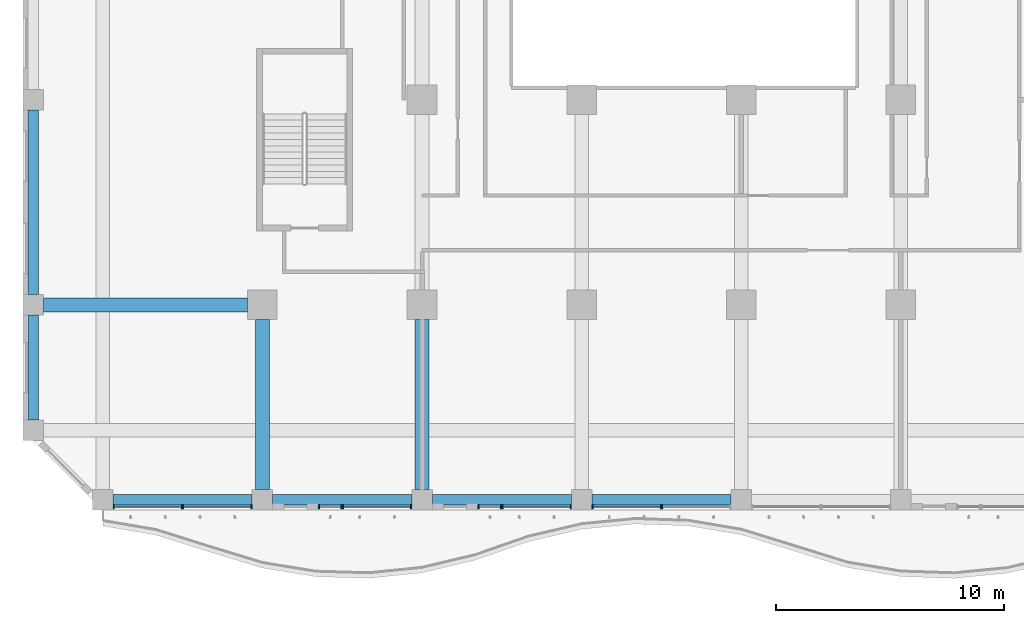
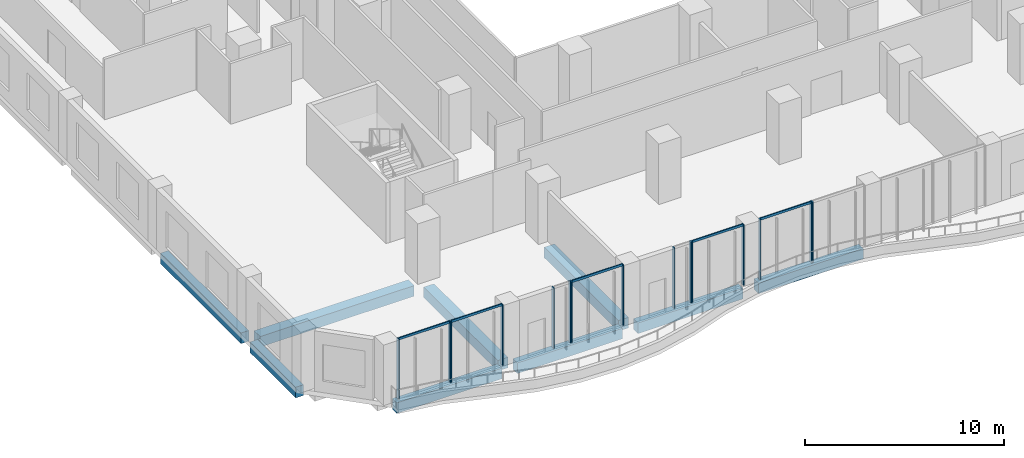
# One storey, part 2 of 27: 20 members, 9 beams, 8 elements without a shape of their own.
"""IFC4 building model written with IfcOpenShell, lengths in metres."""

import ifcopenshell
import ifcopenshell.guid

model = None  # the IFC model being written
_history = None  # IfcOwnerHistory: only IFC2X3 demands one
_inside = {}  # id of a spatial element -> (the spatial element, [elements in it])
_under = {}  # id of a project, library or spatial element -> (it, [spatial elements below it])
_declared = {}  # id of a project -> (the project, [libraries it declares])
_typed = {}  # id of a type object -> (the type object, [elements of that type])
_made_of = {}  # id of a material, layer set ... -> (it, [elements and type objects made of it])


def new_model(schema):
    """Start an empty IFC model of exactly this schema.

    Asked for "IFC4X3", IfcOpenShell would pick the latest addendum, in which some entities
    have other attributes; the version numbers below select the first issue.
    IFC2X3 requires an IfcOwnerHistory on every rooted entity: one is made here for all.
    """
    global model, _history
    if schema == "IFC4X3":
        model = ifcopenshell.file(schema_version=(4, 3, 0, 0))
    else:
        model = ifcopenshell.file(schema=schema)
    _inside.clear()
    _under.clear()
    _declared.clear()
    _typed.clear()
    _made_of.clear()
    _history = None
    if model.schema == "IFC2X3":
        org = make("IfcOrganization", Name="unknown")
        user = make(
            "IfcPersonAndOrganization",
            ThePerson=make("IfcPerson", FamilyName="unknown"),
            TheOrganization=org,
        )
        app = make(
            "IfcApplication",
            ApplicationDeveloper=org,
            Version="unknown",
            ApplicationFullName="unknown",
            ApplicationIdentifier="unknown",
        )
        _history = make(
            "IfcOwnerHistory",
            OwningUser=user,
            OwningApplication=app,
            ChangeAction="ADDED",
            CreationDate=0,
        )
    return model


def make(cls, **values):
    """One entity of the class cls with the attributes given. An attribute that is None is left unset."""
    return model.create_entity(
        cls, **{name: value for name, value in values.items() if value is not None}
    )


def rooted(cls, **values):
    """An entity with a GlobalId (a new one), such as an element, a storey or a relation."""
    return make(cls, GlobalId=ifcopenshell.guid.new(), OwnerHistory=_history, **values)


def si_unit(unit_type, name, prefix=None):
    """IfcSIUnit, for example si_unit("LENGTHUNIT", "METRE", prefix="MILLI")."""
    return make("IfcSIUnit", UnitType=unit_type, Prefix=prefix, Name=name)


def assignment(units):
    """IfcUnitAssignment: the units of a project."""
    return None if units is None else make("IfcUnitAssignment", Units=units)


def point(xyz):
    """IfcCartesianPoint."""
    return None if xyz is None else make("IfcCartesianPoint", Coordinates=xyz)


def direction(xyz):
    """IfcDirection."""
    return None if xyz is None else make("IfcDirection", DirectionRatios=xyz)


def frame(location, z_axis=None, x_axis=None):
    """IfcAxis2Placement3D, a coordinate frame: its origin and axes. An axis left out is left unset."""
    return make(
        "IfcAxis2Placement3D",
        Location=point(location),
        Axis=direction(z_axis),
        RefDirection=direction(x_axis),
    )


def frame_2d(location, x_axis=None):
    """IfcAxis2Placement2D, a coordinate frame in the plane: its origin and x axis."""
    return make(
        "IfcAxis2Placement2D", Location=point(location), RefDirection=direction(x_axis)
    )


def origin():
    """The frame at (0, 0, 0) with its axes left unset."""
    return frame((0.0, 0.0, 0.0))


def origin_2d():
    """The frame at (0, 0) in the plane with its x axis left unset."""
    return frame_2d((0.0, 0.0))


def place(relative_to, where):
    """IfcLocalPlacement: puts the frame where relative to a parent placement (None: the world)."""
    return make(
        "IfcLocalPlacement", PlacementRelTo=relative_to, RelativePlacement=where
    )


def context(
    kind, dimensions, precision=None, world=None, true_north=None, identifier=None
):
    """IfcGeometricRepresentationContext, for example the 3D "Model" context."""
    return make(
        "IfcGeometricRepresentationContext",
        ContextIdentifier=identifier,
        ContextType=kind,
        CoordinateSpaceDimension=dimensions,
        Precision=precision,
        WorldCoordinateSystem=world,
        TrueNorth=true_north,
    )


def subcontext(parent, identifier, kind, view, scale=None):
    """IfcGeometricRepresentationSubContext, for example "Body" below "Model"."""
    return make(
        "IfcGeometricRepresentationSubContext",
        ContextIdentifier=identifier,
        ContextType=kind,
        ParentContext=parent,
        TargetScale=scale,
        TargetView=view,
    )


def project(units=None, contexts=None):
    """IfcProject with its units and contexts."""
    return rooted(
        "IfcProject",
        Name="project",
        RepresentationContexts=contexts,
        UnitsInContext=assignment(units),
    )


def spatial(cls, under=None, at=None, **own):
    """A site, building, storey or space (cls), placed at a placement, below another one or the project."""
    s = rooted(cls, ObjectPlacement=at, **own)
    if under is not None:
        _under.setdefault(under.id(), (under, []))[1].append(s)
    return s


def profile(cls, at=None, kind="AREA", **sizes):
    """A parametric profile (cls). Its sizes go by their IFC names, for example OverallWidth=200.0."""
    return make(cls, ProfileType=kind, Position=at, **sizes)


def rectangle(**sizes):
    """IfcRectangleProfileDef."""
    return profile("IfcRectangleProfileDef", **sizes)


def extrude(swept, where, along, depth):
    """IfcExtrudedAreaSolid: the profile swept, set in the frame where, extruded along a direction by depth."""
    return make(
        "IfcExtrudedAreaSolid",
        SweptArea=swept,
        Position=where,
        ExtrudedDirection=direction(along),
        Depth=depth,
    )


def shape(context_of_items, identifier, shape_type, items):
    """IfcShapeRepresentation: the items that make up one representation, for example the "Body"."""
    return make(
        "IfcShapeRepresentation",
        ContextOfItems=context_of_items,
        RepresentationIdentifier=identifier,
        RepresentationType=shape_type,
        Items=items,
    )


def source(mapping_origin, context_of_items, identifier, shape_type, items):
    """IfcRepresentationMap: a shape defined once, which mapped items show again and again."""
    return make(
        "IfcRepresentationMap",
        MappingOrigin=mapping_origin,
        MappedRepresentation=shape(context_of_items, identifier, shape_type, items),
    )


def transform(
    local_origin,
    x_axis=None,
    y_axis=None,
    z_axis=None,
    scale=None,
    scale2=None,
    scale3=None,
    uniform=True,
):
    """IfcCartesianTransformationOperator3D, or its non-uniform kind. x_axis, y_axis, z_axis: its Axis1, 2, 3."""
    if uniform:
        return make(
            "IfcCartesianTransformationOperator3D",
            Axis1=direction(x_axis),
            Axis2=direction(y_axis),
            LocalOrigin=point(local_origin),
            Scale=scale,
            Axis3=direction(z_axis),
        )
    return make(
        "IfcCartesianTransformationOperator3DnonUniform",
        Axis1=direction(x_axis),
        Axis2=direction(y_axis),
        LocalOrigin=point(local_origin),
        Scale=scale,
        Axis3=direction(z_axis),
        Scale2=scale2,
        Scale3=scale3,
    )


def mapped(mapping_source, mapping_target):
    """IfcMappedItem: shows the shape of a source again, moved by a transform."""
    return make(
        "IfcMappedItem", MappingSource=mapping_source, MappingTarget=mapping_target
    )


def material(Name=None, Category=None):
    """IfcMaterial."""
    return make("IfcMaterial", Name=Name, Category=Category)


def material_profile(
    of_material, cross_section, Name=None, Category=None, Priority=None
):
    """IfcMaterialProfile: a cross section and its material."""
    return make(
        "IfcMaterialProfile",
        Name=Name,
        Material=of_material,
        Profile=cross_section,
        Priority=Priority,
        Category=Category,
    )


def profile_set(profiles, Name=None, composite=None):
    """IfcMaterialProfileSet."""
    return make(
        "IfcMaterialProfileSet",
        Name=Name,
        MaterialProfiles=profiles,
        CompositeProfile=composite,
    )


def made_of(thing, what):
    """Note that an element or type object is made of a material, layer set ...; save() writes the relation."""
    if what is not None:
        _made_of.setdefault(what.id(), (what, []))[1].append(thing)
    return thing


def type_object(cls, material=None, **own):
    """A type object (cls), such as IfcWallType, which elements share."""
    return made_of(rooted(cls, **own), material)


def element(
    cls,
    number,
    at=None,
    inside=None,
    cuts=None,
    type_object=None,
    material=None,
    context=None,
    identifier="Body",
    shape_type=None,
    held_by="IfcProductDefinitionShape",
    body=None,
    shapes=None,
    **own,
):
    """One element of the class cls, such as IfcWall. Its Tag is "e" and its number.

    at: its placement. inside: the storey or other place that contains it. cuts: it is an
    opening in that element (IfcRelVoidsElement). A single representation is given by context,
    identifier, shape_type and body (its items); several are given by shapes. held_by: the class
    of the entity that holds the representations. save() writes the other relations.
    """
    e = rooted(cls, Tag="e%d" % number, ObjectPlacement=at, **own)
    if body is not None:
        shapes = [shape(context, identifier, shape_type, body)]
    if shapes is not None:
        e.Representation = make(held_by, Representations=shapes)
    if inside is not None:
        _inside.setdefault(inside.id(), (inside, []))[1].append(e)
    if cuts is not None:
        rooted(
            "IfcRelVoidsElement", RelatingBuildingElement=cuts, RelatedOpeningElement=e
        )
    if type_object is not None:
        _typed.setdefault(type_object.id(), (type_object, []))[1].append(e)
    return made_of(e, material)


def aggregate(whole, parts):
    """IfcRelAggregates: a whole, such as a stair, and the parts it consists of."""
    return rooted("IfcRelAggregates", RelatingObject=whole, RelatedObjects=parts)


def save(model, path):
    """Write the relations noted so far, then the file.

    IfcRelAggregates (storeys below a building ...), IfcRelContainedInSpatialStructure (elements
    in a storey), IfcRelDefinesByType, IfcRelAssociatesMaterial and IfcRelDeclares: one each for
    every whole, place, type object, material and project.
    """
    for whole, parts in _under.values():
        aggregate(whole, parts)
    for where, things in _inside.values():
        rooted(
            "IfcRelContainedInSpatialStructure",
            RelatedElements=things,
            RelatingStructure=where,
        )
    for kind, things in _typed.values():
        rooted("IfcRelDefinesByType", RelatedObjects=things, RelatingType=kind)
    for what, things in _made_of.values():
        rooted("IfcRelAssociatesMaterial", RelatedObjects=things, RelatingMaterial=what)
    for by, libraries in _declared.values():
        rooted("IfcRelDeclares", RelatingContext=by, RelatedDefinitions=libraries)
    model.write(path)


model = new_model("IFC4")

# Units and contexts
model_context = context("Model", 3, precision=1e-05, world=origin(), true_north=direction((0.0, 1.0)))
body_context = subcontext(model_context, "Body", "Model", "MODEL_VIEW")
ifc_project = project(units=[si_unit("LENGTHUNIT", "METRE"), si_unit("AREAUNIT", "SQUARE_METRE"), si_unit("VOLUMEUNIT", "CUBIC_METRE"), si_unit("PLANEANGLEUNIT", "RADIAN"), si_unit("MASSUNIT", "GRAM", prefix="KILO")], contexts=[model_context])

# Site, building, storey
site_placement = place(None, origin())
site = spatial("IfcSite", under=ifc_project, at=site_placement, CompositionType="ELEMENT")
building_placement = place(site_placement, origin())
building = spatial("IfcBuilding", under=site, at=building_placement, Name="Kilnfold Tower and Market Hall", CompositionType="ELEMENT")
storey_placement = place(building_placement, frame((0.0, 0.0, 43.0)))
storey = spatial("IfcBuildingStorey", under=building, at=storey_placement, Name="L09", CompositionType="ELEMENT", Elevation=43.0)

# Beams
ifc_material_1 = material(Name="Concrete C45", Category="concrete")
ifc_material_profile_1 = material_profile(ifc_material_1, rectangle(XDim=0.449951171875, YDim=0.64990234375, at=origin_2d()), Name="RC 450x650")
ifc_profile_set_1 = profile_set([ifc_material_profile_1], Name="Concrete C45")
beam_type_1 = type_object("IfcBeamType", Name="EDGE BEAM 450X650 C45", PredefinedType="BEAM", material=ifc_profile_set_1)
shared_shape_1 = source(origin(), body_context, "Body", "SweptSolid", [
    extrude(rectangle(XDim=0.449951171875, YDim=0.64990234375, at=origin_2d()), origin(), (0.0, 0.0, 1.0), 6.10009765625),
])
for number, where, z_axis, x_axis, name in (
    (1, (-24.050048828125, -27.550048828125, -0.60498046875), (1.0, 0.0, 0.0), (0.0, 1.0, 0.0), "Beam EB650-B1.1"),
    (2, (-17.050048828125, -27.550048828125, -0.60498046875), (1.0, 0.0, 0.0), (0.0, 1.0, 0.0), "Beam EB650-B1.54"),
    (3, (-10.050048828125, -27.550048828125, -0.60498046875), (1.0, 0.0, 0.0), (0.0, 1.0, 0.0), "Beam EB650-B1.2"),
    (4, (-3.050048828125, -27.550048828125, -0.60498046875), (1.0, 0.0, 0.0), (0.0, 1.0, 0.0), "Beam EB650-B1.3"),
):
    element("IfcBeam", number, at=place(storey_placement, frame(where, z_axis=z_axis, x_axis=x_axis)), inside=storey, type_object=beam_type_1, Name=name, PredefinedType="BEAM", context=body_context, shape_type="MappedRepresentation", body=[
        mapped(shared_shape_1, transform((0.0, 0.0, 0.0))),
    ])
ifc_material_2 = material(Name="Concrete C45", Category="concrete")
ifc_material_profile_2 = material_profile(ifc_material_2, rectangle(XDim=0.60009765625, YDim=0.64990234375, at=origin_2d()), Name="RC 600x650")
ifc_profile_set_2 = profile_set([ifc_material_profile_2], Name="Concrete C45")
beam_type_2 = type_object("IfcBeamType", Name="BEAM 600X650 C45", PredefinedType="BEAM", material=ifc_profile_set_2)
shared_shape_2 = source(origin(), body_context, "Body", "SweptSolid", [
    extrude(rectangle(XDim=0.60009765625, YDim=0.64990234375, at=origin_2d()), origin(), (0.0, 0.0, 1.0), 8.9501953125),
])
beam_1_placement = place(storey_placement, frame((-27.10009765625, -19.0, -0.60498046875), z_axis=(1.0, 0.0, 0.0), x_axis=(0.0, 1.0, 0.0)))
element("IfcBeam", 5, at=beam_1_placement, inside=storey, type_object=beam_type_2, Name="Beam BB650-B1.7", PredefinedType="BEAM", context=body_context, shape_type="MappedRepresentation", body=[
    mapped(shared_shape_2, transform((0.0, 0.0, 0.0))),
])
shared_shape_3 = source(origin(), body_context, "Body", "SweptSolid", [
    extrude(rectangle(XDim=0.449951171875, YDim=0.64990234375, at=origin_2d()), origin(), (0.0, 0.0, 1.0), 4.60009765625),
])
beam_2_placement = place(storey_placement, frame((-27.550048828125, -24.050048828125, -0.60498046875), z_axis=(0.0, 1.0, 0.0), x_axis=(-1.0, 0.0, 0.0)))
element("IfcBeam", 6, at=beam_2_placement, inside=storey, type_object=beam_type_1, Name="Beam EB650-B1.30", PredefinedType="BEAM", context=body_context, shape_type="MappedRepresentation", body=[
    mapped(shared_shape_3, transform((0.0, 0.0, 0.0))),
])
shared_shape_4 = source(origin(), body_context, "Body", "SweptSolid", [
    extrude(rectangle(XDim=0.449951171875, YDim=0.64990234375, at=origin_2d()), origin(), (0.0, 0.0, 1.0), 8.10009765625),
])
beam_3_placement = place(storey_placement, frame((-27.550048828125, -18.550048828125, -0.60498046875), z_axis=(0.0, 1.0, 0.0), x_axis=(-1.0, 0.0, 0.0)))
element("IfcBeam", 7, at=beam_3_placement, inside=storey, type_object=beam_type_1, Name="Beam EB650-B1.31", PredefinedType="BEAM", context=body_context, shape_type="MappedRepresentation", body=[
    mapped(shared_shape_4, transform((0.0, 0.0, 0.0))),
])
shared_shape_5 = source(origin(), body_context, "Body", "SweptSolid", [
    extrude(rectangle(XDim=0.60009765625, YDim=0.64990234375, at=origin_2d()), origin(), (0.0, 0.0, 1.0), 7.4501953125),
])
for number, where, z_axis, x_axis, name in (
    (8, (-17.5, -27.10009765625, -0.60498046875), (0.0, 1.0, 0.0), (-1.0, 0.0, 0.0), "Beam BB650-B1.36"),
    (9, (-10.5, -27.10009765625, -0.60498046875), (0.0, 1.0, 0.0), (-1.0, 0.0, 0.0), "Beam BB650-B1.40"),
):
    element("IfcBeam", number, at=place(storey_placement, frame(where, z_axis=z_axis, x_axis=x_axis)), inside=storey, type_object=beam_type_2, Name=name, PredefinedType="BEAM", context=body_context, shape_type="MappedRepresentation", body=[
        mapped(shared_shape_5, transform((0.0, 0.0, 0.0))),
    ])

# Curtain wall, members
ifc_material_3 = material(Name="Aluminium and double glazing", Category="aluminium")
curtain_wall_type = type_object("IfcCurtainWallType", Name="CW OF1 VALLEY GLAZING", PredefinedType="NOTDEFINED", material=ifc_material_3)
curtain_wall_1_placement = place(storey_placement, origin())
curtain_wall_1 = element("IfcCurtainWall", 10, at=curtain_wall_1_placement, inside=storey, type_object=curtain_wall_type, Name="Curtain wall CW1 L09 S", PredefinedType="NOTDEFINED")
ifc_material_4 = material(Name="Aluminium", Category="aluminium")
ifc_material_profile_3 = material_profile(ifc_material_4, rectangle(XDim=0.06005859375, YDim=0.179931640625, at=origin_2d()), Name="MULLION 60x180")
ifc_profile_set_3 = profile_set([ifc_material_profile_3], Name="Aluminium")
member_type_1 = type_object("IfcMemberType", Name="MULLION 60X180", PredefinedType="MULLION", material=ifc_profile_set_3)
shared_shape_6 = source(origin(), body_context, "Body", "SweptSolid", [
    extrude(rectangle(XDim=0.06005859375, YDim=0.179931640625, at=origin_2d()), origin(), (0.0, 0.0, 1.0), 3.719970703125),
])
member_1_placement = place(storey_placement, frame((-24.02001953125, -27.85009765625, 0.0), z_axis=(0.0, 0.0, 1.0), x_axis=(1.0, 0.0, 0.0)))
member_1 = element("IfcMember", 11, at=member_1_placement, type_object=member_type_1, Name="CW1 mullion 1", PredefinedType="MULLION", context=body_context, shape_type="MappedRepresentation", body=[
    mapped(shared_shape_6, transform((0.0, 0.0, 0.0))),
])
member_2_placement = place(storey_placement, frame((-21.030029296875, -27.85009765625, 0.0), z_axis=(0.0, 0.0, 1.0), x_axis=(1.0, 0.0, 0.0)))
member_2 = element("IfcMember", 12, at=member_2_placement, type_object=member_type_1, Name="CW1 mullion 2", PredefinedType="MULLION", context=body_context, shape_type="MappedRepresentation", body=[
    mapped(shared_shape_6, transform((0.0, 0.0, 0.0))),
])

curtain_wall_2_placement = place(storey_placement, origin())
curtain_wall_2 = element("IfcCurtainWall", 13, at=curtain_wall_2_placement, inside=storey, type_object=curtain_wall_type, Name="Curtain wall CW1 L09 S", PredefinedType="NOTDEFINED")
member_3_placement = place(storey_placement, frame((-20.969970703125, -27.85009765625, 0.0), z_axis=(0.0, 0.0, 1.0), x_axis=(1.0, 0.0, 0.0)))
member_3 = element("IfcMember", 14, at=member_3_placement, type_object=member_type_1, Name="CW1 mullion 1", PredefinedType="MULLION", context=body_context, shape_type="MappedRepresentation", body=[
    mapped(shared_shape_6, transform((0.0, 0.0, 0.0))),
])
member_4_placement = place(storey_placement, frame((-17.97998046875, -27.85009765625, 0.0), z_axis=(0.0, 0.0, 1.0), x_axis=(1.0, 0.0, 0.0)))
member_4 = element("IfcMember", 15, at=member_4_placement, type_object=member_type_1, Name="CW1 mullion 2", PredefinedType="MULLION", context=body_context, shape_type="MappedRepresentation", body=[
    mapped(shared_shape_6, transform((0.0, 0.0, 0.0))),
])

curtain_wall_3_placement = place(storey_placement, origin())
curtain_wall_3 = element("IfcCurtainWall", 16, at=curtain_wall_3_placement, inside=storey, type_object=curtain_wall_type, Name="Curtain wall CW1 L09 S", PredefinedType="NOTDEFINED")
member_5_placement = place(storey_placement, frame((-15.02001953125, -27.85009765625, 0.0), z_axis=(0.0, 0.0, 1.0), x_axis=(1.0, 0.0, 0.0)))
member_5 = element("IfcMember", 17, at=member_5_placement, type_object=member_type_1, Name="CW1 mullion 1", PredefinedType="MULLION", context=body_context, shape_type="MappedRepresentation", body=[
    mapped(shared_shape_6, transform((0.0, 0.0, 0.0))),
])
member_6_placement = place(storey_placement, frame((-14.030029296875, -27.85009765625, 0.0), z_axis=(0.0, 0.0, 1.0), x_axis=(1.0, 0.0, 0.0)))
member_6 = element("IfcMember", 18, at=member_6_placement, type_object=member_type_1, Name="CW1 mullion 2", PredefinedType="MULLION", context=body_context, shape_type="MappedRepresentation", body=[
    mapped(shared_shape_6, transform((0.0, 0.0, 0.0))),
])
aggregate(curtain_wall_3, [member_5, member_6])

curtain_wall_4_placement = place(storey_placement, origin())
curtain_wall_4 = element("IfcCurtainWall", 19, at=curtain_wall_4_placement, inside=storey, type_object=curtain_wall_type, Name="Curtain wall CW1 L09 S", PredefinedType="NOTDEFINED")
member_7_placement = place(storey_placement, frame((-13.969970703125, -27.85009765625, 0.0), z_axis=(0.0, 0.0, 1.0), x_axis=(1.0, 0.0, 0.0)))
member_7 = element("IfcMember", 20, at=member_7_placement, type_object=member_type_1, Name="CW1 mullion 1", PredefinedType="MULLION", context=body_context, shape_type="MappedRepresentation", body=[
    mapped(shared_shape_6, transform((0.0, 0.0, 0.0))),
])
member_8_placement = place(storey_placement, frame((-10.97998046875, -27.85009765625, 0.0), z_axis=(0.0, 0.0, 1.0), x_axis=(1.0, 0.0, 0.0)))
member_8 = element("IfcMember", 21, at=member_8_placement, type_object=member_type_1, Name="CW1 mullion 2", PredefinedType="MULLION", context=body_context, shape_type="MappedRepresentation", body=[
    mapped(shared_shape_6, transform((0.0, 0.0, 0.0))),
])

curtain_wall_5_placement = place(storey_placement, origin())
curtain_wall_5 = element("IfcCurtainWall", 22, at=curtain_wall_5_placement, inside=storey, type_object=curtain_wall_type, Name="Curtain wall CW1 L09 S", PredefinedType="NOTDEFINED")
member_9_placement = place(storey_placement, frame((-8.02001953125, -27.85009765625, 0.0), z_axis=(0.0, 0.0, 1.0), x_axis=(1.0, 0.0, 0.0)))
member_9 = element("IfcMember", 23, at=member_9_placement, type_object=member_type_1, Name="CW1 mullion 1", PredefinedType="MULLION", context=body_context, shape_type="MappedRepresentation", body=[
    mapped(shared_shape_6, transform((0.0, 0.0, 0.0))),
])
member_10_placement = place(storey_placement, frame((-7.030029296875, -27.85009765625, 0.0), z_axis=(0.0, 0.0, 1.0), x_axis=(1.0, 0.0, 0.0)))
member_10 = element("IfcMember", 24, at=member_10_placement, type_object=member_type_1, Name="CW1 mullion 2", PredefinedType="MULLION", context=body_context, shape_type="MappedRepresentation", body=[
    mapped(shared_shape_6, transform((0.0, 0.0, 0.0))),
])
aggregate(curtain_wall_5, [member_9, member_10])

curtain_wall_6_placement = place(storey_placement, origin())
curtain_wall_6 = element("IfcCurtainWall", 25, at=curtain_wall_6_placement, inside=storey, type_object=curtain_wall_type, Name="Curtain wall CW1 L09 S", PredefinedType="NOTDEFINED")
member_11_placement = place(storey_placement, frame((-6.969970703125, -27.85009765625, 0.0), z_axis=(0.0, 0.0, 1.0), x_axis=(1.0, 0.0, 0.0)))
member_11 = element("IfcMember", 26, at=member_11_placement, type_object=member_type_1, Name="CW1 mullion 1", PredefinedType="MULLION", context=body_context, shape_type="MappedRepresentation", body=[
    mapped(shared_shape_6, transform((0.0, 0.0, 0.0))),
])
member_12_placement = place(storey_placement, frame((-3.97998046875, -27.85009765625, 0.0), z_axis=(0.0, 0.0, 1.0), x_axis=(1.0, 0.0, 0.0)))
member_12 = element("IfcMember", 27, at=member_12_placement, type_object=member_type_1, Name="CW1 mullion 2", PredefinedType="MULLION", context=body_context, shape_type="MappedRepresentation", body=[
    mapped(shared_shape_6, transform((0.0, 0.0, 0.0))),
])

curtain_wall_7_placement = place(storey_placement, origin())
curtain_wall_7 = element("IfcCurtainWall", 28, at=curtain_wall_7_placement, inside=storey, type_object=curtain_wall_type, Name="Curtain wall CW1 L09 S", PredefinedType="NOTDEFINED")
member_13_placement = place(storey_placement, frame((-3.02001953125, -27.85009765625, 0.0), z_axis=(0.0, 0.0, 1.0), x_axis=(1.0, 0.0, 0.0)))
member_13 = element("IfcMember", 29, at=member_13_placement, type_object=member_type_1, Name="CW1 mullion 1", PredefinedType="MULLION", context=body_context, shape_type="MappedRepresentation", body=[
    mapped(shared_shape_6, transform((0.0, 0.0, 0.0))),
])
member_14_placement = place(storey_placement, frame((-0.030029296875, -27.85009765625, 0.0), z_axis=(0.0, 0.0, 1.0), x_axis=(1.0, 0.0, 0.0)))
member_14 = element("IfcMember", 30, at=member_14_placement, type_object=member_type_1, Name="CW1 mullion 2", PredefinedType="MULLION", context=body_context, shape_type="MappedRepresentation", body=[
    mapped(shared_shape_6, transform((0.0, 0.0, 0.0))),
])

# Curtain wall, member
curtain_wall_8_placement = place(storey_placement, origin())
curtain_wall_8 = element("IfcCurtainWall", 31, at=curtain_wall_8_placement, inside=storey, type_object=curtain_wall_type, Name="Curtain wall CW1 L09 S", PredefinedType="NOTDEFINED")
member_15_placement = place(storey_placement, frame((0.030029296875, -27.85009765625, 0.0), z_axis=(0.0, 0.0, 1.0), x_axis=(1.0, 0.0, 0.0)))
member_15 = element("IfcMember", 32, at=member_15_placement, type_object=member_type_1, Name="CW1 mullion 1", PredefinedType="MULLION", context=body_context, shape_type="MappedRepresentation", body=[
    mapped(shared_shape_6, transform((0.0, 0.0, 0.0))),
])
aggregate(curtain_wall_8, [member_15])

# Member
ifc_material_5 = material(Name="Aluminium", Category="aluminium")
ifc_material_profile_4 = material_profile(ifc_material_5, rectangle(XDim=0.06005859375, YDim=0.139892578125, at=origin_2d()), Name="TRANSOM 60x140")
ifc_profile_set_4 = profile_set([ifc_material_profile_4], Name="Aluminium")
member_type_2 = type_object("IfcMemberType", Name="TRANSOM 60X140", PredefinedType="USERDEFINED", material=ifc_profile_set_4)
shared_shape_7 = source(origin(), body_context, "Body", "SweptSolid", [
    extrude(rectangle(XDim=0.06005859375, YDim=0.139892578125, at=origin_2d()), origin(), (0.0, 0.0, 1.0), 2.929931640625),
])
member_16_placement = place(storey_placement, frame((-23.989990234375, -27.85009765625, 3.68994140625), z_axis=(1.0, 0.0, 0.0), x_axis=(0.0, 1.0, 0.0)))
member_16 = element("IfcMember", 33, at=member_16_placement, type_object=member_type_2, Name="CW1 transom 1.2", ObjectType="TRANSOM", PredefinedType="USERDEFINED", context=body_context, shape_type="MappedRepresentation", body=[
    mapped(shared_shape_7, transform((0.0, 0.0, 0.0))),
])

aggregate(curtain_wall_1, [member_1, member_2, member_16])

member_17_placement = place(storey_placement, frame((-20.93994140625, -27.85009765625, 3.68994140625), z_axis=(1.0, 0.0, 0.0), x_axis=(0.0, 1.0, 0.0)))
member_17 = element("IfcMember", 34, at=member_17_placement, type_object=member_type_2, Name="CW1 transom 1.2", ObjectType="TRANSOM", PredefinedType="USERDEFINED", context=body_context, shape_type="MappedRepresentation", body=[
    mapped(shared_shape_7, transform((0.0, 0.0, 0.0))),
])

aggregate(curtain_wall_2, [member_3, member_4, member_17])

member_18_placement = place(storey_placement, frame((-13.93994140625, -27.85009765625, 3.68994140625), z_axis=(1.0, 0.0, 0.0), x_axis=(0.0, 1.0, 0.0)))
member_18 = element("IfcMember", 35, at=member_18_placement, type_object=member_type_2, Name="CW1 transom 1.2", ObjectType="TRANSOM", PredefinedType="USERDEFINED", context=body_context, shape_type="MappedRepresentation", body=[
    mapped(shared_shape_7, transform((0.0, 0.0, 0.0))),
])

aggregate(curtain_wall_4, [member_7, member_8, member_18])

member_19_placement = place(storey_placement, frame((-6.93994140625, -27.85009765625, 3.68994140625), z_axis=(1.0, 0.0, 0.0), x_axis=(0.0, 1.0, 0.0)))
member_19 = element("IfcMember", 36, at=member_19_placement, type_object=member_type_2, Name="CW1 transom 1.2", ObjectType="TRANSOM", PredefinedType="USERDEFINED", context=body_context, shape_type="MappedRepresentation", body=[
    mapped(shared_shape_7, transform((0.0, 0.0, 0.0))),
])

aggregate(curtain_wall_6, [member_11, member_12, member_19])

member_20_placement = place(storey_placement, frame((-2.989990234375, -27.85009765625, 3.68994140625), z_axis=(1.0, 0.0, 0.0), x_axis=(0.0, 1.0, 0.0)))
member_20 = element("IfcMember", 37, at=member_20_placement, type_object=member_type_2, Name="CW1 transom 1.2", ObjectType="TRANSOM", PredefinedType="USERDEFINED", context=body_context, shape_type="MappedRepresentation", body=[
    mapped(shared_shape_7, transform((0.0, 0.0, 0.0))),
])

aggregate(curtain_wall_7, [member_13, member_14, member_20])

save(model, "model.ifc")
